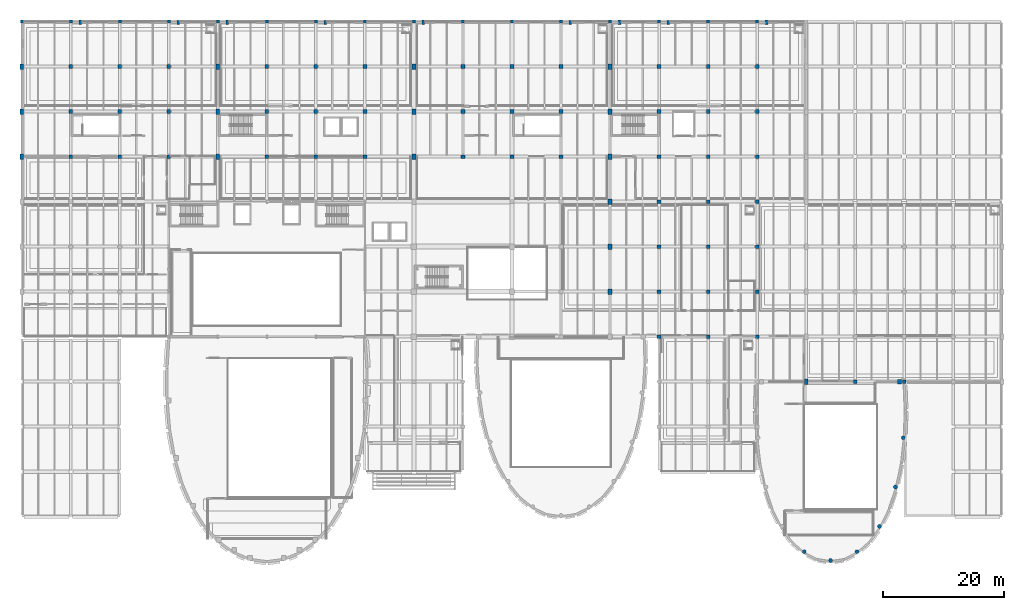
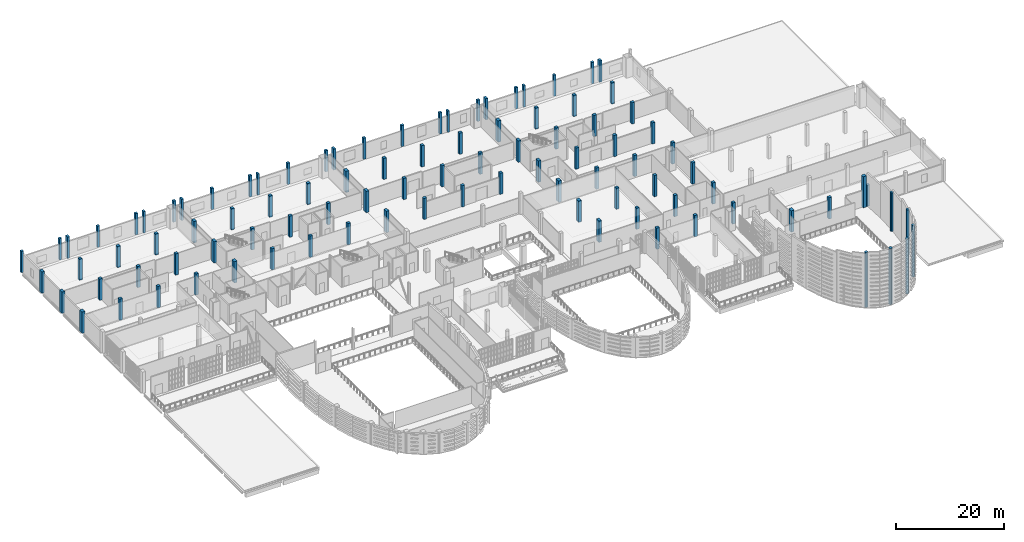
# One storey, part 7 of 104: 98 columns.
"""IFC4 building model written with IfcOpenShell, lengths in metres."""

from ifc_helpers import new_model, si_unit, direction, frame, origin, origin_2d, place, context, subcontext, project, spatial, rectangle, circle, extrude, material, material_profile, profile_set, type_object, element, save


model = new_model("IFC4")

# Units and contexts
model_context = context("Model", 3, precision=1e-05, world=origin(), true_north=direction((0.0, 1.0)))
body_context = subcontext(model_context, "Body", "Model", "MODEL_VIEW")
ifc_project = project(units=[si_unit("LENGTHUNIT", "METRE"), si_unit("AREAUNIT", "SQUARE_METRE"), si_unit("VOLUMEUNIT", "CUBIC_METRE"), si_unit("PLANEANGLEUNIT", "RADIAN"), si_unit("MASSUNIT", "GRAM", prefix="KILO")], contexts=[model_context])

# Site, building, storey
site_placement = place(None, origin())
site = spatial("IfcSite", under=ifc_project, at=site_placement, CompositionType="ELEMENT")
building_placement = place(site_placement, origin())
building = spatial("IfcBuilding", under=site, at=building_placement, Name="Kaelora Sail Theatre", CompositionType="ELEMENT")
storey_placement = place(building_placement, frame((0.0, 0.0, 5.39990234375)))
storey = spatial("IfcBuildingStorey", under=building, at=storey_placement, Name="L01", CompositionType="ELEMENT", Elevation=5.39990234375)

# Columns
ifc_material_1 = material(Name="Concrete C40/50", Category="concrete")
ifc_material_profile_1 = material_profile(ifc_material_1, rectangle(XDim=0.5, YDim=0.5, at=origin_2d()), Name="RC-COL 500x500")
ifc_profile_set_1 = profile_set([ifc_material_profile_1], Name="Concrete C40/50")
column_type_1 = type_object("IfcColumnType", Name="STR-COL-C-RC500", PredefinedType="COLUMN", material=ifc_profile_set_1)
for number, where, z_axis, x_axis, name in (
    (1, (1.5, 113.10009765625, 0.0), (0.0, 0.0, 1.0), (1.0, 0.0, 0.0), "Column 1/P (L01)"),
    (2, (9.60009765625, 113.10009765625, 0.0), (0.0, 0.0, 1.0), (1.0, 0.0, 0.0), "Column 2/P (L01)"),
    (3, (17.699951171875, 113.10009765625, 0.0), (0.0, 0.0, 1.0), (1.0, 0.0, 0.0), "Column 3/P (L01)"),
    (4, (25.800048828125, 113.10009765625, 0.0), (0.0, 0.0, 1.0), (1.0, 0.0, 0.0), "Column 4/P (L01)"),
    (5, (33.89990234375, 113.10009765625, 0.0), (0.0, 0.0, 1.0), (1.0, 0.0, 0.0), "Column 5/P (L01)"),
    (6, (42.0, 113.10009765625, 0.0), (0.0, 0.0, 1.0), (1.0, 0.0, 0.0), "Column 6/P (L01)"),
    (7, (50.10009765625, 113.10009765625, 0.0), (0.0, 0.0, 1.0), (1.0, 0.0, 0.0), "Column 7/P (L01)"),
    (8, (58.199951171875, 113.10009765625, 0.0), (0.0, 0.0, 1.0), (1.0, 0.0, 0.0), "Column 8/P (L01)"),
    (9, (66.300048828125, 113.10009765625, 0.0), (0.0, 0.0, 1.0), (1.0, 0.0, 0.0), "Column 9/P (L01)"),
    (10, (74.39990234375, 113.10009765625, 0.0), (0.0, 0.0, 1.0), (1.0, 0.0, 0.0), "Column 10/P (L01)"),
    (11, (82.5, 113.10009765625, 0.0), (0.0, 0.0, 1.0), (1.0, 0.0, 0.0), "Column 11/P (L01)"),
    (12, (90.60009765625, 113.10009765625, 0.0), (0.0, 0.0, 1.0), (1.0, 0.0, 0.0), "Column 12/P (L01)"),
    (13, (98.699951171875, 113.10009765625, 0.0), (0.0, 0.0, 1.0), (1.0, 0.0, 0.0), "Column 13/P (L01)"),
    (14, (106.800048828125, 113.10009765625, 0.0), (0.0, 0.0, 1.0), (1.0, 0.0, 0.0), "Column 14/P (L01)"),
    (15, (114.89990234375, 113.10009765625, 0.0), (0.0, 0.0, 1.0), (1.0, 0.0, 0.0), "Column 15/P (L01)"),
    (16, (123.0, 113.10009765625, 0.0), (0.0, 0.0, 1.0), (1.0, 0.0, 0.0), "Column 16/P (L01)"),
):
    element("IfcColumn", number, at=place(storey_placement, frame(where, z_axis=z_axis, x_axis=x_axis)), inside=storey, type_object=column_type_1, Name=name, PredefinedType="COLUMN", context=body_context, shape_type="SweptSolid", body=[
        extrude(rectangle(XDim=0.5, YDim=0.5, at=origin_2d()), origin(), (0.0, 0.0, 1.0), 4.800048828125),
    ])
ifc_material_2 = material(Name="Concrete C40/50", Category="concrete")
ifc_material_profile_2 = material_profile(ifc_material_2, rectangle(XDim=0.60009765625, YDim=0.60009765625, at=origin_2d()), Name="RC-COL 600x600")
ifc_profile_set_2 = profile_set([ifc_material_profile_2], Name="Concrete C40/50")
column_type_2 = type_object("IfcColumnType", Name="STR-COL-C-RC600", PredefinedType="COLUMN", material=ifc_profile_set_2)
for number, where, z_axis, x_axis, name in (
    (17, (9.60009765625, 90.780029296875, 0.0), (0.0, 0.0, 1.0), (1.0, 0.0, 0.0), "Column 2/M (L01)"),
    (18, (9.60009765625, 98.219970703125, 0.0), (0.0, 0.0, 1.0), (1.0, 0.0, 0.0), "Column 2/N (L01)"),
    (19, (9.60009765625, 105.659912109375, 0.0), (0.0, 0.0, 1.0), (1.0, 0.0, 0.0), "Column 2/O (L01)"),
    (20, (17.699951171875, 90.780029296875, 0.0), (0.0, 0.0, 1.0), (1.0, 0.0, 0.0), "Column 3/M (L01)"),
    (21, (17.699951171875, 98.219970703125, 0.0), (0.0, 0.0, 1.0), (1.0, 0.0, 0.0), "Column 3/N (L01)"),
    (22, (17.699951171875, 105.659912109375, 0.0), (0.0, 0.0, 1.0), (1.0, 0.0, 0.0), "Column 3/O (L01)"),
    (23, (25.800048828125, 90.780029296875, 0.0), (0.0, 0.0, 1.0), (1.0, 0.0, 0.0), "Column 4/M (L01)"),
    (24, (25.800048828125, 98.219970703125, 0.0), (0.0, 0.0, 1.0), (1.0, 0.0, 0.0), "Column 4/N (L01)"),
    (25, (25.800048828125, 105.659912109375, 0.0), (0.0, 0.0, 1.0), (1.0, 0.0, 0.0), "Column 4/O (L01)"),
    (26, (42.0, 90.780029296875, 0.0), (0.0, 0.0, 1.0), (1.0, 0.0, 0.0), "Column 6/M (L01)"),
    (27, (42.0, 98.219970703125, 0.0), (0.0, 0.0, 1.0), (1.0, 0.0, 0.0), "Column 6/N (L01)"),
    (28, (42.0, 105.659912109375, 0.0), (0.0, 0.0, 1.0), (1.0, 0.0, 0.0), "Column 6/O (L01)"),
    (29, (50.10009765625, 90.780029296875, 0.0), (0.0, 0.0, 1.0), (1.0, 0.0, 0.0), "Column 7/M (L01)"),
    (30, (50.10009765625, 98.219970703125, 0.0), (0.0, 0.0, 1.0), (1.0, 0.0, 0.0), "Column 7/N (L01)"),
    (31, (50.10009765625, 105.659912109375, 0.0), (0.0, 0.0, 1.0), (1.0, 0.0, 0.0), "Column 7/O (L01)"),
    (32, (58.199951171875, 90.780029296875, 0.0), (0.0, 0.0, 1.0), (1.0, 0.0, 0.0), "Column 8/M (L01)"),
    (33, (58.199951171875, 98.219970703125, 0.0), (0.0, 0.0, 1.0), (1.0, 0.0, 0.0), "Column 8/N (L01)"),
    (34, (58.199951171875, 105.659912109375, 0.0), (0.0, 0.0, 1.0), (1.0, 0.0, 0.0), "Column 8/O (L01)"),
    (35, (74.39990234375, 90.780029296875, 0.0), (0.0, 0.0, 1.0), (1.0, 0.0, 0.0), "Column 10/M (L01)"),
    (36, (74.39990234375, 98.219970703125, 0.0), (0.0, 0.0, 1.0), (1.0, 0.0, 0.0), "Column 10/N (L01)"),
    (37, (74.39990234375, 105.659912109375, 0.0), (0.0, 0.0, 1.0), (1.0, 0.0, 0.0), "Column 10/O (L01)"),
    (38, (82.5, 90.780029296875, 0.0), (0.0, 0.0, 1.0), (1.0, 0.0, 0.0), "Column 11/M (L01)"),
    (39, (82.5, 98.219970703125, 0.0), (0.0, 0.0, 1.0), (1.0, 0.0, 0.0), "Column 11/N (L01)"),
    (40, (82.5, 105.659912109375, 0.0), (0.0, 0.0, 1.0), (1.0, 0.0, 0.0), "Column 11/O (L01)"),
    (41, (90.60009765625, 90.780029296875, 0.0), (0.0, 0.0, 1.0), (1.0, 0.0, 0.0), "Column 12/M (L01)"),
    (42, (90.60009765625, 98.219970703125, 0.0), (0.0, 0.0, 1.0), (1.0, 0.0, 0.0), "Column 12/N (L01)"),
    (43, (90.60009765625, 105.659912109375, 0.0), (0.0, 0.0, 1.0), (1.0, 0.0, 0.0), "Column 12/O (L01)"),
    (44, (106.800048828125, 61.02001953125, 0.0), (0.0, 0.0, 1.0), (1.0, 0.0, 0.0), "Column 14/I (L01)"),
    (45, (106.800048828125, 68.4599609375, 0.0), (0.0, 0.0, 1.0), (1.0, 0.0, 0.0), "Column 14/J (L01)"),
    (46, (106.800048828125, 75.89990234375, 0.0), (0.0, 0.0, 1.0), (1.0, 0.0, 0.0), "Column 14/K (L01)"),
    (47, (106.800048828125, 83.340087890625, 0.0), (0.0, 0.0, 1.0), (1.0, 0.0, 0.0), "Column 14/L (L01)"),
    (48, (106.800048828125, 90.780029296875, 0.0), (0.0, 0.0, 1.0), (1.0, 0.0, 0.0), "Column 14/M (L01)"),
    (49, (106.800048828125, 98.219970703125, 0.0), (0.0, 0.0, 1.0), (1.0, 0.0, 0.0), "Column 14/N (L01)"),
    (50, (106.800048828125, 105.659912109375, 0.0), (0.0, 0.0, 1.0), (1.0, 0.0, 0.0), "Column 14/O (L01)"),
    (51, (114.89990234375, 61.02001953125, 0.0), (0.0, 0.0, 1.0), (1.0, 0.0, 0.0), "Column 15/I (L01)"),
    (52, (114.89990234375, 68.4599609375, 0.0), (0.0, 0.0, 1.0), (1.0, 0.0, 0.0), "Column 15/J (L01)"),
    (53, (114.89990234375, 75.89990234375, 0.0), (0.0, 0.0, 1.0), (1.0, 0.0, 0.0), "Column 15/K (L01)"),
    (54, (114.89990234375, 83.340087890625, 0.0), (0.0, 0.0, 1.0), (1.0, 0.0, 0.0), "Column 15/L (L01)"),
    (55, (114.89990234375, 90.780029296875, 0.0), (0.0, 0.0, 1.0), (1.0, 0.0, 0.0), "Column 15/M (L01)"),
    (56, (114.89990234375, 98.219970703125, 0.0), (0.0, 0.0, 1.0), (1.0, 0.0, 0.0), "Column 15/N (L01)"),
    (57, (114.89990234375, 105.659912109375, 0.0), (0.0, 0.0, 1.0), (1.0, 0.0, 0.0), "Column 15/O (L01)"),
    (58, (123.0, 61.02001953125, 0.0), (0.0, 0.0, 1.0), (1.0, 0.0, 0.0), "Column 16/I (L01)"),
    (59, (123.0, 68.4599609375, 0.0), (0.0, 0.0, 1.0), (1.0, 0.0, 0.0), "Column 16/J (L01)"),
    (60, (123.0, 75.89990234375, 0.0), (0.0, 0.0, 1.0), (1.0, 0.0, 0.0), "Column 16/K (L01)"),
    (61, (123.0, 83.340087890625, 0.0), (0.0, 0.0, 1.0), (1.0, 0.0, 0.0), "Column 16/L (L01)"),
    (62, (123.0, 90.780029296875, 0.0), (0.0, 0.0, 1.0), (1.0, 0.0, 0.0), "Column 16/M (L01)"),
    (63, (123.0, 98.219970703125, 0.0), (0.0, 0.0, 1.0), (1.0, 0.0, 0.0), "Column 16/N (L01)"),
    (64, (123.0, 105.659912109375, 0.0), (0.0, 0.0, 1.0), (1.0, 0.0, 0.0), "Column 16/O (L01)"),
    (65, (139.199951171875, 53.580078125, 0.0), (0.0, 0.0, 1.0), (1.0, 0.0, 0.0), "Column 18/H (L01)"),
    (66, (147.300048828125, 53.580078125, 0.0), (0.0, 0.0, 1.0), (1.0, 0.0, 0.0), "Column 19/H (L01)"),
):
    element("IfcColumn", number, at=place(storey_placement, frame(where, z_axis=z_axis, x_axis=x_axis)), inside=storey, type_object=column_type_2, Name=name, PredefinedType="COLUMN", context=body_context, shape_type="SweptSolid", body=[
        extrude(rectangle(XDim=0.60009765625, YDim=0.60009765625, at=origin_2d()), origin(), (0.0, 0.0, 1.0), 4.800048828125),
    ])
ifc_material_3 = material(Name="Concrete C45/55", Category="concrete")
ifc_material_profile_3 = material_profile(ifc_material_3, rectangle(XDim=0.60009765625, YDim=0.89990234375, at=origin_2d()), Name="RC-COL 600x900")
ifc_profile_set_3 = profile_set([ifc_material_profile_3], Name="Concrete C45/55")
column_type_3 = type_object("IfcColumnType", Name="STR-COL-C-RC6090", PredefinedType="COLUMN", material=ifc_profile_set_3)
for number, where, z_axis, x_axis, name in (
    (67, (1.5, 90.780029296875, 0.0), (0.0, 0.0, 1.0), (1.0, 0.0, 0.0), "Column 1/M (L01)"),
    (68, (1.5, 98.219970703125, 0.0), (0.0, 0.0, 1.0), (1.0, 0.0, 0.0), "Column 1/N (L01)"),
    (69, (1.5, 105.659912109375, 0.0), (0.0, 0.0, 1.0), (1.0, 0.0, 0.0), "Column 1/O (L01)"),
    (70, (33.89990234375, 90.780029296875, 0.0), (0.0, 0.0, 1.0), (1.0, 0.0, 0.0), "Column 5/M (L01)"),
    (71, (33.89990234375, 98.219970703125, 0.0), (0.0, 0.0, 1.0), (1.0, 0.0, 0.0), "Column 5/N (L01)"),
    (72, (33.89990234375, 105.659912109375, 0.0), (0.0, 0.0, 1.0), (1.0, 0.0, 0.0), "Column 5/O (L01)"),
    (73, (66.300048828125, 90.780029296875, 0.0), (0.0, 0.0, 1.0), (1.0, 0.0, 0.0), "Column 9/M (L01)"),
    (74, (66.300048828125, 98.219970703125, 0.0), (0.0, 0.0, 1.0), (1.0, 0.0, 0.0), "Column 9/N (L01)"),
    (75, (66.300048828125, 105.659912109375, 0.0), (0.0, 0.0, 1.0), (1.0, 0.0, 0.0), "Column 9/O (L01)"),
    (76, (98.699951171875, 68.4599609375, 0.0), (0.0, 0.0, 1.0), (1.0, 0.0, 0.0), "Column 13/J (L01)"),
    (77, (98.699951171875, 75.89990234375, 0.0), (0.0, 0.0, 1.0), (1.0, 0.0, 0.0), "Column 13/K (L01)"),
    (78, (98.699951171875, 83.340087890625, 0.0), (0.0, 0.0, 1.0), (1.0, 0.0, 0.0), "Column 13/L (L01)"),
    (79, (98.699951171875, 90.780029296875, 0.0), (0.0, 0.0, 1.0), (1.0, 0.0, 0.0), "Column 13/M (L01)"),
    (80, (98.699951171875, 98.219970703125, 0.0), (0.0, 0.0, 1.0), (1.0, 0.0, 0.0), "Column 13/N (L01)"),
    (81, (98.699951171875, 105.659912109375, 0.0), (0.0, 0.0, 1.0), (1.0, 0.0, 0.0), "Column 13/O (L01)"),
    (82, (131.10009765625, 53.580078125, 0.0), (0.0, 0.0, 1.0), (1.0, 0.0, 0.0), "Column 17/H (L01)"),
):
    element("IfcColumn", number, at=place(storey_placement, frame(where, z_axis=z_axis, x_axis=x_axis)), inside=storey, type_object=column_type_3, Name=name, PredefinedType="COLUMN", context=body_context, shape_type="SweptSolid", body=[
        extrude(rectangle(XDim=0.60009765625, YDim=0.89990234375, at=origin_2d()), origin(), (0.0, 0.0, 1.0), 4.800048828125),
    ])
ifc_material_4 = material(Name="Concrete C45/55", Category="concrete")
ifc_material_profile_4 = material_profile(ifc_material_4, rectangle(XDim=0.699951171875, YDim=0.699951171875, at=origin_2d()), Name="RC-COL 700x700")
ifc_profile_set_4 = profile_set([ifc_material_profile_4], Name="Concrete C45/55")
column_type_4 = type_object("IfcColumnType", Name="STR-COL-C-RC700", PredefinedType="COLUMN", material=ifc_profile_set_4)
column_1_placement = place(storey_placement, frame((146.550048828125, 53.580078125, 0.0), z_axis=(0.0, 0.0, 1.0), x_axis=(1.0, 0.0, 0.0)))
element("IfcColumn", 83, at=column_1_placement, inside=storey, type_object=column_type_4, Name="Black-Box Theatre north corner column NE (L01)", PredefinedType="COLUMN", context=body_context, shape_type="SweptSolid", body=[
    extrude(rectangle(XDim=0.699951171875, YDim=0.699951171875, at=origin_2d()), origin(), (0.0, 0.0, 1.0), 7.03515625),
])
ifc_material_5 = material(Name="Concrete C45/55", Category="concrete")
ifc_material_profile_5 = material_profile(ifc_material_5, circle(Radius=0.324951171875, at=origin_2d()), Name="RC-CCOL D650")
ifc_profile_set_5 = profile_set([ifc_material_profile_5], Name="Concrete C45/55")
column_type_5 = type_object("IfcColumnType", Name="STR-COL-C-RCD650", PredefinedType="COLUMN", material=ifc_profile_set_5)
column_2_placement = place(storey_placement, frame((147.154541015625, 44.324951171875, 0.0), z_axis=(0.0, 0.0, 1.0), x_axis=(1.0, 0.0, 0.0)))
element("IfcColumn", 84, at=column_2_placement, inside=storey, type_object=column_type_5, Name="Black-Box Theatre drum column K02 (L01)", PredefinedType="COLUMN", context=body_context, shape_type="SweptSolid", body=[
    extrude(circle(Radius=0.324951171875, at=origin_2d()), origin(), (0.0, 0.0, 1.0), 8.733154296875),
])
column_3_placement = place(storey_placement, frame((145.848876953125, 36.177978515625, 0.0), z_axis=(0.0, 0.0, 1.0), x_axis=(1.0, 0.0, 0.0)))
element("IfcColumn", 85, at=column_3_placement, inside=storey, type_object=column_type_5, Name="Black-Box Theatre drum column K04 (L01)", PredefinedType="COLUMN", context=body_context, shape_type="SweptSolid", body=[
    extrude(circle(Radius=0.324951171875, at=origin_2d()), origin(), (0.0, 0.0, 1.0), 10.2880859375),
])
column_4_placement = place(storey_placement, frame((143.233642578125, 29.6826171875, 0.0), z_axis=(0.0, 0.0, 1.0), x_axis=(1.0, 0.0, 0.0)))
element("IfcColumn", 86, at=column_4_placement, inside=storey, type_object=column_type_5, Name="Black-Box Theatre drum column K06 (L01)", PredefinedType="COLUMN", context=body_context, shape_type="SweptSolid", body=[
    extrude(circle(Radius=0.324951171875, at=origin_2d()), origin(), (0.0, 0.0, 1.0), 11.56494140625),
])
column_5_placement = place(storey_placement, frame((139.50634765625, 25.48828125, 0.0), z_axis=(0.0, 0.0, 1.0), x_axis=(1.0, 0.0, 0.0)))
element("IfcColumn", 87, at=column_5_placement, inside=storey, type_object=column_type_5, Name="Black-Box Theatre drum column K08 (L01)", PredefinedType="COLUMN", context=body_context, shape_type="SweptSolid", body=[
    extrude(circle(Radius=0.324951171875, at=origin_2d()), origin(), (0.0, 0.0, 1.0), 12.402099609375),
])
column_6_placement = place(storey_placement, frame((135.14990234375, 24.0400390625, 0.0), z_axis=(0.0, 0.0, 1.0), x_axis=(1.0, 0.0, 0.0)))
element("IfcColumn", 88, at=column_6_placement, inside=storey, type_object=column_type_5, Name="Black-Box Theatre drum column K10 (L01)", PredefinedType="COLUMN", context=body_context, shape_type="SweptSolid", body=[
    extrude(circle(Radius=0.324951171875, at=origin_2d()), origin(), (0.0, 0.0, 1.0), 12.691162109375),
])
column_7_placement = place(storey_placement, frame((130.793701171875, 25.48828125, 0.0), z_axis=(0.0, 0.0, 1.0), x_axis=(1.0, 0.0, 0.0)))
element("IfcColumn", 89, at=column_7_placement, inside=storey, type_object=column_type_5, Name="Black-Box Theatre drum column K12 (L01)", PredefinedType="COLUMN", context=body_context, shape_type="SweptSolid", body=[
    extrude(circle(Radius=0.324951171875, at=origin_2d()), origin(), (0.0, 0.0, 1.0), 12.402099609375),
])
ifc_material_6 = material(Name="Precast concrete C45/55", Category="concrete")
ifc_material_profile_6 = material_profile(ifc_material_6, rectangle(XDim=0.39990234375, YDim=0.64990234375, at=origin_2d()), Name="RC-PIL 400x650")
ifc_profile_set_6 = profile_set([ifc_material_profile_6], Name="Precast concrete C45/55")
column_type_6 = type_object("IfcColumnType", Name="STR-COL-PL-RC4065", PredefinedType="PILASTER", material=ifc_profile_set_6)
for number, where, z_axis, x_axis, name in (
    (90, (27.35009765625, 112.949951171875, 0.0), (0.0, 0.0, 1.0), (1.0, 0.0, 0.0), "Postmodern terracotta precast pilaster L01 N02"),
    (91, (51.64990234375, 112.949951171875, 0.0), (0.0, 0.0, 1.0), (1.0, 0.0, 0.0), "Postmodern terracotta precast pilaster L01 N04"),
    (92, (92.14990234375, 112.949951171875, 0.0), (0.0, 0.0, 1.0), (1.0, 0.0, 0.0), "Postmodern terracotta precast pilaster L01 N06"),
    (93, (108.35009765625, 112.949951171875, 0.0), (0.0, 0.0, 1.0), (1.0, 0.0, 0.0), "Postmodern terracotta precast pilaster L01 N08"),
):
    element("IfcColumn", number, at=place(storey_placement, frame(where, z_axis=z_axis, x_axis=x_axis)), inside=storey, type_object=column_type_6, Name=name, PredefinedType="PILASTER", context=body_context, shape_type="SweptSolid", body=[
        extrude(rectangle(XDim=0.39990234375, YDim=0.64990234375, at=origin_2d()), origin(), (0.0, 0.0, 1.0), 4.800048828125),
    ])
ifc_material_7 = material(Name="Precast concrete C45/55", Category="concrete")
ifc_material_profile_7 = material_profile(ifc_material_7, rectangle(XDim=0.449951171875, YDim=0.75, at=origin_2d()), Name="RC-PIL 450x750")
ifc_profile_set_7 = profile_set([ifc_material_profile_7], Name="Precast concrete C45/55")
column_type_7 = type_object("IfcColumnType", Name="STR-COL-PL-RC4575", PredefinedType="PILASTER", material=ifc_profile_set_7)
for number, where, z_axis, x_axis, name in (
    (94, (11.14990234375, 112.949951171875, 0.0), (0.0, 0.0, 1.0), (1.0, 0.0, 0.0), "Postmodern terracotta precast pilaster L01 N01"),
    (95, (35.449951171875, 112.949951171875, 0.0), (0.0, 0.0, 1.0), (1.0, 0.0, 0.0), "Postmodern terracotta precast pilaster L01 N03"),
    (96, (67.85009765625, 112.949951171875, 0.0), (0.0, 0.0, 1.0), (1.0, 0.0, 0.0), "Postmodern terracotta precast pilaster L01 N05"),
    (97, (100.25, 112.949951171875, 0.0), (0.0, 0.0, 1.0), (1.0, 0.0, 0.0), "Postmodern terracotta precast pilaster L01 N07"),
    (98, (124.550048828125, 112.949951171875, 0.0), (0.0, 0.0, 1.0), (1.0, 0.0, 0.0), "Postmodern terracotta precast pilaster L01 N09"),
):
    element("IfcColumn", number, at=place(storey_placement, frame(where, z_axis=z_axis, x_axis=x_axis)), inside=storey, type_object=column_type_7, Name=name, PredefinedType="PILASTER", context=body_context, shape_type="SweptSolid", body=[
        extrude(rectangle(XDim=0.449951171875, YDim=0.75, at=origin_2d()), origin(), (0.0, 0.0, 1.0), 4.800048828125),
    ])

save(model, "model.ifc")
